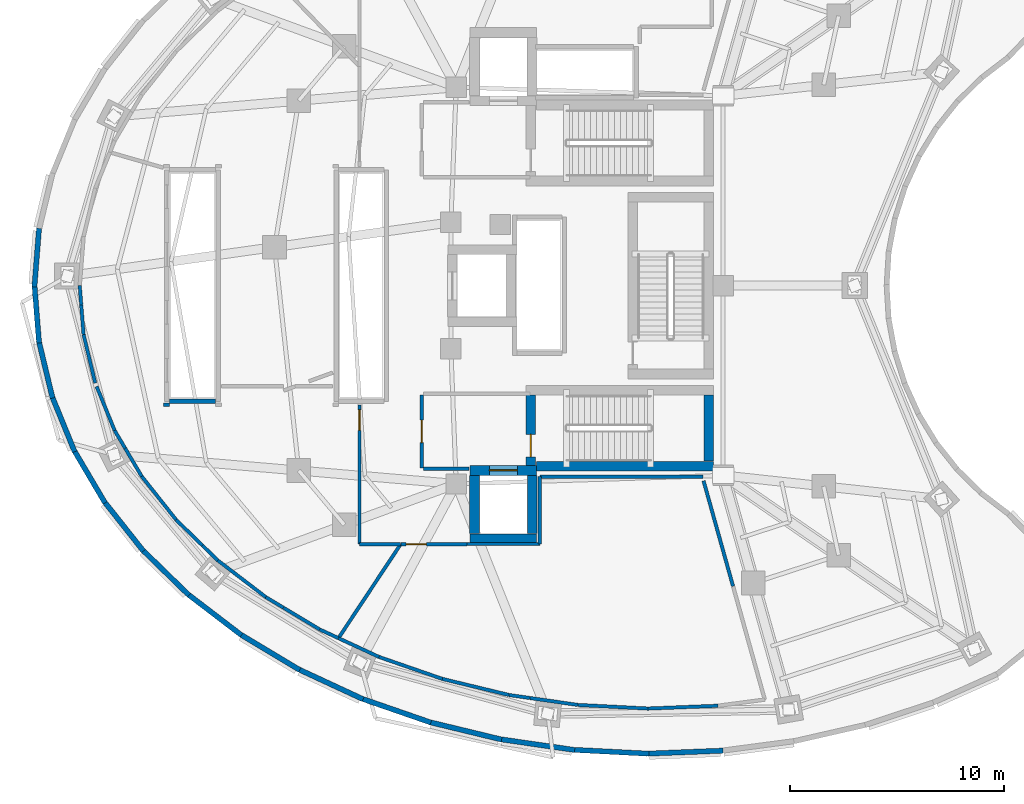
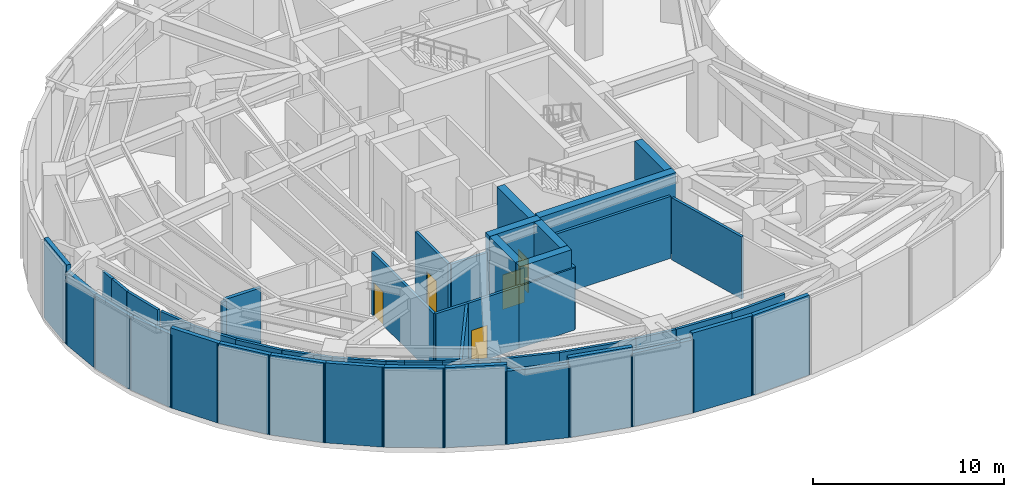
# One storey, part 4 of 10: 54 walls, 5 doors, 5 openings.
"""IFC4 building model written with IfcOpenShell, lengths in metres."""

from ifc_helpers import new_model, si_unit, direction, frame, frame_2d, origin, place, context, subcontext, project, spatial, rectangle, extrude, material, layer, layer_set, type_object, element, fill, save


model = new_model("IFC4")

# Units and contexts
model_context = context("Model", 3, precision=1e-05, world=origin(), true_north=direction((0.0, 1.0)))
body_context = subcontext(model_context, "Body", "Model", "MODEL_VIEW")
ifc_project = project(units=[si_unit("LENGTHUNIT", "METRE"), si_unit("AREAUNIT", "SQUARE_METRE"), si_unit("VOLUMEUNIT", "CUBIC_METRE"), si_unit("PLANEANGLEUNIT", "RADIAN"), si_unit("MASSUNIT", "GRAM", prefix="KILO")], contexts=[model_context])

# Site, building, storey
site_placement = place(None, origin())
site = spatial("IfcSite", under=ifc_project, at=site_placement, CompositionType="ELEMENT")
building_placement = place(site_placement, origin())
building = spatial("IfcBuilding", under=site, at=building_placement, Name="Korentha Bioscience Tower", CompositionType="ELEMENT")
storey_placement = place(building_placement, frame((0.0, 0.0, 84.60009765625)))
storey = spatial("IfcBuildingStorey", under=building, at=storey_placement, Name="L19", CompositionType="ELEMENT", Elevation=84.60009765625)

# Wall, opening, door
ifc_material_1 = material(Name="Gypsum-Clad Steel Stud", Category="steel")
ifc_layer_1 = layer(ifc_material_1, 0.159912109375, Name="Gypsum-Clad Steel Stud")
ifc_layer_set_1 = layer_set([ifc_layer_1], Name="Gypsum-Clad Steel Stud (IW-C160)")
wall_type_1 = type_object("IfcWallType", Name="Fire-Rated Corridor Partition Wall 160", PredefinedType="PARTITIONING", material=ifc_layer_set_1)
wall_1_placement = place(storey_placement, frame((23.5, 18.5, 0.0), z_axis=(0.0, 0.0, 1.0), x_axis=(0.0, 1.0, 0.0)))
wall_1 = element("IfcWall", 1, at=wall_1_placement, inside=storey, type_object=wall_type_1, Name="L19 FFLS-CW Rated Enclosure Wall", PredefinedType="PARTITIONING", context=body_context, shape_type="SweptSolid", body=[
    extrude(rectangle(XDim=3.39990234375, YDim=0.159912109375, at=frame_2d((1.699951171875, 0.0))), origin(), (0.0, 0.0, 1.0), 3.9599609375),
])
opening_1_placement = place(wall_1_placement, frame((1.175048828125, 0.0, 0.0)))
opening_1 = element("IfcOpeningElement", 2, at=opening_1_placement, cuts=wall_1, Name="Opening FD-90R", PredefinedType="OPENING", context=body_context, shape_type="SweptSolid", body=[
    extrude(rectangle(XDim=1.050048828125, YDim=2.14990234375, at=frame_2d((0.52490234375, 1.074951171875))), frame((0.0, 0.0947265625, 0.0), z_axis=(0.0, -1.0, 0.0), x_axis=(1.0, 0.0, 0.0)), (0.0, 0.0, 1.0), 0.189697265625),
])
ifc_material_2 = material(Name="Powder-Coated Fire-Rated Steel", Category="steel")
door_type_1 = type_object("IfcDoorType", Name="Stairwell Fire Exit Door 1050x2150 Right", OperationType="SINGLE_SWING_RIGHT", PredefinedType="DOOR", material=ifc_material_2)
door_1_placement = place(opening_1_placement, origin())
door_1 = element("IfcDoor", 3, at=door_1_placement, inside=storey, type_object=door_type_1, Name="L19 South Firefighting Lobby Door", OperationType="SINGLE_SWING_RIGHT", OverallHeight=2.14990234375, OverallWidth=1.050048828125, PredefinedType="DOOR", context=body_context, shape_type="SweptSolid", body=[
    extrude(rectangle(XDim=1.050048828125, YDim=2.14990234375, at=frame_2d((0.52490234375, 1.074951171875))), frame((0.0, 0.02490234375, 0.0), z_axis=(0.0, -1.0, 0.0), x_axis=(1.0, 0.0, 0.0)), (0.0, 0.0, 1.0), 0.050048828125),
])
fill(opening_1, door_1)

# Wall
wall_2_placement = place(storey_placement, frame((23.580078125, 18.449951171875, 0.0), z_axis=(0.0, 0.0, 1.0), x_axis=(1.0, 0.0, 0.0)))
element("IfcWall", 4, at=wall_2_placement, inside=storey, type_object=wall_type_1, Name="L19 Firefighting Lobby Return Wall FFLS-S", PredefinedType="PARTITIONING", context=body_context, shape_type="SweptSolid", body=[
    extrude(rectangle(XDim=2.119873046875, YDim=0.159912109375, at=frame_2d((1.06005859375, 0.0))), origin(), (0.0, 0.0, 1.0), 3.9599609375),
])

# Wall, opening, door
wall_3_placement = place(storey_placement, frame((20.590087890625, 21.43994140625, 0.0), z_axis=(0.0, 0.0, 1.0), x_axis=(0.0, -1.0, 0.0)))
wall_3 = element("IfcWall", 5, at=wall_3_placement, inside=storey, type_object=wall_type_1, Name="L19 Laboratory Make-Up Air Handling Plant 01 Entrance Wall", PredefinedType="PARTITIONING", context=body_context, shape_type="SweptSolid", body=[
    extrude(rectangle(XDim=6.489990234375, YDim=0.159912109375, at=frame_2d((3.2451171875, 0.0))), origin(), (0.0, 0.0, 1.0), 3.9599609375),
])
opening_2_placement = place(wall_3_placement, frame((0.239990234375, 0.0, 0.0)))
opening_2 = element("IfcOpeningElement", 6, at=opening_2_placement, cuts=wall_3, Name="Opening FD-120D", PredefinedType="OPENING", context=body_context, shape_type="SweptSolid", body=[
    extrude(rectangle(XDim=0.949951171875, YDim=2.14990234375, at=frame_2d((0.47509765625, 1.074951171875))), frame((0.0, 0.0947265625, 0.0), z_axis=(0.0, -1.0, 0.0), x_axis=(1.0, 0.0, 0.0)), (0.0, 0.0, 1.0), 0.189697265625),
])
ifc_material_3 = material(Name="Heavy-Duty Insulated Steel", Category="steel")
door_type_2 = type_object("IfcDoorType", Name="Plant & Riser Fire Door 950x2150 Left", OperationType="SINGLE_SWING_LEFT", PredefinedType="DOOR", material=ifc_material_3)
door_2_placement = place(opening_2_placement, origin())
door_2 = element("IfcDoor", 7, at=door_2_placement, inside=storey, type_object=door_type_2, Name="L19 Laboratory Make-Up Air Handling Plant 01 Door", OperationType="SINGLE_SWING_LEFT", OverallHeight=2.14990234375, OverallWidth=0.949951171875, PredefinedType="DOOR", context=body_context, shape_type="SweptSolid", body=[
    extrude(rectangle(XDim=0.949951171875, YDim=2.14990234375, at=frame_2d((0.47509765625, 1.074951171875))), frame((0.0, 0.02490234375, 0.0), z_axis=(0.0, -1.0, 0.0), x_axis=(1.0, 0.0, 0.0)), (0.0, 0.0, 1.0), 0.050048828125),
])
fill(opening_2, door_2)

wall_4_placement = place(storey_placement, frame((22.5205078125, 14.93994140625, 0.0), z_axis=(0.0, 0.0, 1.0), x_axis=(1.0, 0.0, 0.0)))
wall_4 = element("IfcWall", 8, at=wall_4_placement, inside=storey, type_object=wall_type_1, Name="L19 Chilled-Water Plate Heat-Exchanger Plant 02 Entrance Wall", PredefinedType="PARTITIONING", context=body_context, shape_type="SweptSolid", body=[
    extrude(rectangle(XDim=3.07958984375, YDim=0.159912109375, at=frame_2d((1.539794921875, 0.0))), origin(), (0.0, 0.0, 1.0), 3.9599609375),
])
opening_3_placement = place(wall_4_placement, frame((0.239990234375, 0.0, 0.0)))
opening_3 = element("IfcOpeningElement", 9, at=opening_3_placement, cuts=wall_4, Name="Opening FD-120D", PredefinedType="OPENING", context=body_context, shape_type="SweptSolid", body=[
    extrude(rectangle(XDim=0.949951171875, YDim=2.14990234375, at=frame_2d((0.47509765625, 1.074951171875))), frame((0.0, 0.0947265625, 0.0), z_axis=(0.0, -1.0, 0.0), x_axis=(1.0, 0.0, 0.0)), (0.0, 0.0, 1.0), 0.189697265625),
])
door_3_placement = place(opening_3_placement, origin())
door_3 = element("IfcDoor", 10, at=door_3_placement, inside=storey, type_object=door_type_2, Name="L19 Chilled-Water Plate Heat-Exchanger Plant 02 Door", OperationType="SINGLE_SWING_LEFT", OverallHeight=2.14990234375, OverallWidth=0.949951171875, PredefinedType="DOOR", context=body_context, shape_type="SweptSolid", body=[
    extrude(rectangle(XDim=0.949951171875, YDim=2.14990234375, at=frame_2d((0.47509765625, 1.074951171875))), frame((0.0, 0.02490234375, 0.0), z_axis=(0.0, -1.0, 0.0), x_axis=(1.0, 0.0, 0.0)), (0.0, 0.0, 1.0), 0.050048828125),
])
fill(opening_3, door_3)

# Walls
wall_5_placement = place(storey_placement, frame((11.449951171875, 21.43994140625, 0.0), z_axis=(0.0, 0.0, 1.0), x_axis=(1.0, 0.0, 0.0)))
element("IfcWall", 11, at=wall_5_placement, inside=storey, type_object=wall_type_1, Name="L19 Interior Partition 011", PredefinedType="PARTITIONING", context=body_context, shape_type="SweptSolid", body=[
    extrude(rectangle(XDim=0.27001953125, YDim=0.159912109375, at=frame_2d((0.135009765625, 0.0))), origin(), (0.0, 0.0, 1.0), 3.9599609375),
])
wall_6_placement = place(storey_placement, frame((20.60009765625, 14.93994140625, 0.0), z_axis=(0.0, 0.0, 1.0), x_axis=(1.0, 0.0, 0.0)))
element("IfcWall", 12, at=wall_6_placement, inside=storey, type_object=wall_type_1, Name="L19 Interior Partition 017", PredefinedType="PARTITIONING", context=body_context, shape_type="SweptSolid", body=[
    extrude(rectangle(XDim=1.910400390625, YDim=0.159912109375, at=frame_2d((0.955078125, 0.0))), origin(), (0.0, 0.0, 1.0), 3.9599609375),
])
wall_7_placement = place(storey_placement, frame((22.510498046875, 14.93994140625, 0.0), z_axis=(0.0, 0.0, 1.0), x_axis=(-0.552178086977, -0.833726190222, 0.0)))
element("IfcWall", 13, at=wall_7_placement, inside=storey, type_object=wall_type_1, Name="L19 Interior Partition 018", PredefinedType="PARTITIONING", context=body_context, shape_type="SweptSolid", body=[
    extrude(rectangle(XDim=5.2548828125, YDim=0.159912109375, at=frame_2d((2.62744140625, 0.0))), origin(), (0.0, 0.0, 1.0), 3.9599609375),
])
wall_8_placement = place(storey_placement, frame((19.60888671875, 10.55859375, 0.0), z_axis=(0.0, 0.0, 1.0), x_axis=(-0.907203757034, 0.420691506004, 0.0)))
element("IfcWall", 14, at=wall_8_placement, inside=storey, type_object=wall_type_1, Name="L19 Interior Partition 019", PredefinedType="PARTITIONING", context=body_context, shape_type="SweptSolid", body=[
    extrude(rectangle(XDim=0.95703125, YDim=0.159912109375, at=frame_2d((0.478515625, 0.0))), origin(), (0.0, 0.0, 1.0), 3.9599609375),
])
wall_9_placement = place(storey_placement, frame((18.740478515625, 10.96142578125, 0.0), z_axis=(0.0, 0.0, 1.0), x_axis=(-0.857635136716, 0.514258662805, 0.0)))
element("IfcWall", 15, at=wall_9_placement, inside=storey, type_object=wall_type_1, Name="L19 Interior Partition 020", PredefinedType="PARTITIONING", context=body_context, shape_type="SweptSolid", body=[
    extrude(rectangle(XDim=1.96875, YDim=0.159912109375, at=frame_2d((0.984375, 0.0))), origin(), (0.0, 0.0, 1.0), 3.9599609375),
])
wall_10_placement = place(storey_placement, frame((17.0478515625, 11.9765625, 0.0), z_axis=(0.0, 0.0, 1.0), x_axis=(-0.857671673488, 0.514197725098, 0.0)))
element("IfcWall", 16, at=wall_10_placement, inside=storey, type_object=wall_type_1, Name="L19 Interior Partition 021", PredefinedType="PARTITIONING", context=body_context, shape_type="SweptSolid", body=[
    extrude(rectangle(XDim=0.9638671875, YDim=0.159912109375, at=frame_2d((0.48193359375, 0.0))), origin(), (0.0, 0.0, 1.0), 3.9599609375),
])
wall_11_placement = place(storey_placement, frame((16.22119140625, 12.472412109375, 0.0), z_axis=(0.0, 0.0, 1.0), x_axis=(-0.794500121719, 0.607263992501, 0.0)))
element("IfcWall", 17, at=wall_11_placement, inside=storey, type_object=wall_type_1, Name="L19 Interior Partition 022", PredefinedType="PARTITIONING", context=body_context, shape_type="SweptSolid", body=[
    extrude(rectangle(XDim=2.82421875, YDim=0.159912109375, at=frame_2d((1.412109375, 0.0))), origin(), (0.0, 0.0, 1.0), 3.9599609375),
])
wall_12_placement = place(storey_placement, frame((13.976806640625, 14.1875, 0.0), z_axis=(0.0, 0.0, 1.0), x_axis=(-0.715966561904, 0.698134573156, 0.0)))
element("IfcWall", 18, at=wall_12_placement, inside=storey, type_object=wall_type_1, Name="L19 Interior Partition 023", PredefinedType="PARTITIONING", context=body_context, shape_type="SweptSolid", body=[
    extrude(rectangle(XDim=0.99951171875, YDim=0.159912109375, at=frame_2d((0.499755859375, 0.0))), origin(), (0.0, 0.0, 1.0), 3.9599609375),
])
wall_13_placement = place(storey_placement, frame((13.258056640625, 14.88818359375, 0.0), z_axis=(0.0, 0.0, 1.0), x_axis=(-0.716086174655, 0.698011884189, 0.0)))
element("IfcWall", 19, at=wall_13_placement, inside=storey, type_object=wall_type_1, Name="L19 Interior Partition 024", PredefinedType="PARTITIONING", context=body_context, shape_type="SweptSolid", body=[
    extrude(rectangle(XDim=1.701904296875, YDim=0.159912109375, at=frame_2d((0.85107421875, 0.0))), origin(), (0.0, 0.0, 1.0), 3.9599609375),
])
wall_14_placement = place(storey_placement, frame((12.0390625, 16.07666015625, 0.0), z_axis=(0.0, 0.0, 1.0), x_axis=(-0.621019334477, 0.783795245078, 0.0)))
element("IfcWall", 20, at=wall_14_placement, inside=storey, type_object=wall_type_1, Name="L19 Interior Partition 025", PredefinedType="PARTITIONING", context=body_context, shape_type="SweptSolid", body=[
    extrude(rectangle(XDim=2.5888671875, YDim=0.159912109375, at=frame_2d((1.29443359375, 0.0))), origin(), (0.0, 0.0, 1.0), 3.9599609375),
])
wall_15_placement = place(storey_placement, frame((10.43115234375, 18.106201171875, 0.0), z_axis=(0.0, 0.0, 1.0), x_axis=(-0.508257498235, 0.861205152962, 0.0)))
element("IfcWall", 21, at=wall_15_placement, inside=storey, type_object=wall_type_1, Name="L19 Interior Partition 026", PredefinedType="PARTITIONING", context=body_context, shape_type="SweptSolid", body=[
    extrude(rectangle(XDim=1.516845703125, YDim=0.159912109375, at=frame_2d((0.75830078125, 0.0))), origin(), (0.0, 0.0, 1.0), 3.9599609375),
])
wall_16_placement = place(storey_placement, frame((9.657958984375, 19.41650390625, 0.0), z_axis=(0.0, 0.0, 1.0), x_axis=(-0.508120550532, 0.861285960716, 0.0)))
element("IfcWall", 22, at=wall_16_placement, inside=storey, type_object=wall_type_1, Name="L19 Interior Partition 027", PredefinedType="PARTITIONING", context=body_context, shape_type="SweptSolid", body=[
    extrude(rectangle(XDim=0.95947265625, YDim=0.159912109375, at=frame_2d((0.479736328125, 0.0))), origin(), (0.0, 0.0, 1.0), 3.9599609375),
])
wall_17_placement = place(storey_placement, frame((9.169921875, 20.243408203125, 0.0), z_axis=(0.0, 0.0, 1.0), x_axis=(-0.378303005032, 0.925681822433, 0.0)))
element("IfcWall", 23, at=wall_17_placement, inside=storey, type_object=wall_type_1, Name="L19 Interior Partition 028", PredefinedType="PARTITIONING", context=body_context, shape_type="SweptSolid", body=[
    extrude(rectangle(XDim=2.219482421875, YDim=0.159912109375, at=frame_2d((1.10986328125, 0.0))), origin(), (0.0, 0.0, 1.0), 3.9599609375),
])
wall_18_placement = place(storey_placement, frame((8.265380859375, 22.456298828125, 0.0), z_axis=(0.0, 0.0, 1.0), x_axis=(-0.233654937946, 0.972319582222, 0.0)))
element("IfcWall", 24, at=wall_18_placement, inside=storey, type_object=wall_type_1, Name="L19 Interior Partition 029", PredefinedType="PARTITIONING", context=body_context, shape_type="SweptSolid", body=[
    extrude(rectangle(XDim=2.324951171875, YDim=0.159912109375, at=frame_2d((1.16259765625, 0.0))), origin(), (0.0, 0.0, 1.0), 3.9599609375),
])
wall_19_placement = place(storey_placement, frame((7.72216796875, 24.717041015625, 0.0), z_axis=(0.0, 0.0, 1.0), x_axis=(-0.079135761617, 0.996863847892, 0.0)))
element("IfcWall", 25, at=wall_19_placement, inside=storey, type_object=wall_type_1, Name="L19 Interior Partition 030", PredefinedType="PARTITIONING", context=body_context, shape_type="SweptSolid", body=[
    extrude(rectangle(XDim=1.38525390625, YDim=0.159912109375, at=frame_2d((0.692626953125, 0.0))), origin(), (0.0, 0.0, 1.0), 3.9599609375),
])
wall_20_placement = place(storey_placement, frame((7.6123046875, 26.102294921875, 0.0), z_axis=(0.0, 0.0, 1.0), x_axis=(-0.079163340815, 0.996861658141, 0.0)))
element("IfcWall", 26, at=wall_20_placement, inside=storey, type_object=wall_type_1, Name="L19 Interior Partition 031", PredefinedType="PARTITIONING", context=body_context, shape_type="SweptSolid", body=[
    extrude(rectangle(XDim=0.900634765625, YDim=0.159912109375, at=frame_2d((0.4501953125, 0.0))), origin(), (0.0, 0.0, 1.0), 3.9599609375),
])
wall_21_placement = place(storey_placement, frame((29.0, 14.9541015625, 0.0), z_axis=(0.0, 0.0, 1.0), x_axis=(0.0, 1.0, 0.0)))
element("IfcWall", 27, at=wall_21_placement, inside=storey, type_object=wall_type_1, Name="L19 Interior Partition 032", PredefinedType="PARTITIONING", context=body_context, shape_type="SweptSolid", body=[
    extrude(rectangle(XDim=3.135986328125, YDim=0.159912109375, at=frame_2d((1.56787109375, 0.0))), origin(), (0.0, 0.0, 1.0), 3.9599609375),
])
wall_22_placement = place(storey_placement, frame((29.0, 18.090087890625, 0.0), z_axis=(0.0, 0.0, 1.0), x_axis=(1.0, 0.0, 0.0)))
element("IfcWall", 28, at=wall_22_placement, inside=storey, type_object=wall_type_1, Name="L19 Interior Partition 033", PredefinedType="PARTITIONING", context=body_context, shape_type="SweptSolid", body=[
    extrude(rectangle(XDim=7.602294921875, YDim=0.159912109375, at=frame_2d((3.80126953125, 0.0))), origin(), (0.0, 0.0, 1.0), 3.9599609375),
])
wall_23_placement = place(storey_placement, frame((36.63525390625, 17.893798828125, 0.0), z_axis=(0.0, 0.0, 1.0), x_axis=(0.269447140832, -0.96301518072, 0.0)))
element("IfcWall", 29, at=wall_23_placement, inside=storey, type_object=wall_type_1, Name="L19 Interior Partition 034", PredefinedType="PARTITIONING", context=body_context, shape_type="SweptSolid", body=[
    extrude(rectangle(XDim=5.10302734375, YDim=0.159912109375, at=frame_2d((2.551513671875, 0.0))), origin(), (0.0, 0.0, 1.0), 3.9599609375),
])
wall_24_placement = place(storey_placement, frame((37.309814453125, 7.40478515625, 0.0), z_axis=(0.0, 0.0, 1.0), x_axis=(-0.999211651373, -0.039699820652, 0.0)))
element("IfcWall", 30, at=wall_24_placement, inside=storey, type_object=wall_type_1, Name="L19 Interior Partition 037", PredefinedType="PARTITIONING", context=body_context, shape_type="SweptSolid", body=[
    extrude(rectangle(XDim=3.271728515625, YDim=0.159912109375, at=frame_2d((1.6357421875, 0.0))), origin(), (0.0, 0.0, 1.0), 3.9599609375),
])
wall_25_placement = place(storey_placement, frame((34.040283203125, 7.27490234375, 0.0), z_axis=(0.0, 0.0, 1.0), x_axis=(-0.99867214707, 0.051516431032, 0.0)))
element("IfcWall", 31, at=wall_25_placement, inside=storey, type_object=wall_type_1, Name="L19 Interior Partition 038", PredefinedType="PARTITIONING", context=body_context, shape_type="SweptSolid", body=[
    extrude(rectangle(XDim=3.27001953125, YDim=0.159912109375, at=frame_2d((1.635009765625, 0.0))), origin(), (0.0, 0.0, 1.0), 3.9599609375),
])
wall_26_placement = place(storey_placement, frame((30.7744140625, 7.443359375, 0.0), z_axis=(0.0, 0.0, 1.0), x_axis=(-0.989738557631, 0.142890124003, 0.0)))
element("IfcWall", 32, at=wall_26_placement, inside=storey, type_object=wall_type_1, Name="L19 Interior Partition 039", PredefinedType="PARTITIONING", context=body_context, shape_type="SweptSolid", body=[
    extrude(rectangle(XDim=2.257080078125, YDim=0.159912109375, at=frame_2d((1.12841796875, 0.0))), origin(), (0.0, 0.0, 1.0), 3.9599609375),
])
wall_27_placement = place(storey_placement, frame((28.536376953125, 7.7666015625, 0.0), z_axis=(0.0, 0.0, 1.0), x_axis=(-0.989765001386, 0.142706839468, 0.0)))
element("IfcWall", 33, at=wall_27_placement, inside=storey, type_object=wall_type_1, Name="L19 Interior Partition 040", PredefinedType="PARTITIONING", context=body_context, shape_type="SweptSolid", body=[
    extrude(rectangle(XDim=0.983642578125, YDim=0.159912109375, at=frame_2d((0.49169921875, 0.0))), origin(), (0.0, 0.0, 1.0), 3.9599609375),
])
wall_28_placement = place(storey_placement, frame((27.5625, 7.906982421875, 0.0), z_axis=(0.0, 0.0, 1.0), x_axis=(-0.972038947661, 0.234819684504, 0.0)))
element("IfcWall", 34, at=wall_28_placement, inside=storey, type_object=wall_type_1, Name="L19 Interior Partition 041", PredefinedType="PARTITIONING", context=body_context, shape_type="SweptSolid", body=[
    extrude(rectangle(XDim=3.197021484375, YDim=0.159912109375, at=frame_2d((1.5986328125, 0.0))), origin(), (0.0, 0.0, 1.0), 3.9599609375),
])
wall_29_placement = place(storey_placement, frame((24.45458984375, 8.657958984375, 0.0), z_axis=(0.0, 0.0, 1.0), x_axis=(-0.944878380746, 0.327421510592, 0.0)))
element("IfcWall", 35, at=wall_29_placement, inside=storey, type_object=wall_type_1, Name="L19 Interior Partition 042", PredefinedType="PARTITIONING", context=body_context, shape_type="SweptSolid", body=[
    extrude(rectangle(XDim=3.1279296875, YDim=0.159912109375, at=frame_2d((1.56396484375, 0.0))), origin(), (0.0, 0.0, 1.0), 3.9599609375),
])
wall_30_placement = place(storey_placement, frame((21.498779296875, 9.68212890625, 0.0), z_axis=(0.0, 0.0, 1.0), x_axis=(-0.907161523732, 0.420782568388, 0.0)))
element("IfcWall", 36, at=wall_30_placement, inside=storey, type_object=wall_type_1, Name="L19 Interior Partition 043", PredefinedType="PARTITIONING", context=body_context, shape_type="SweptSolid", body=[
    extrude(rectangle(XDim=2.072998046875, YDim=0.159912109375, at=frame_2d((1.03662109375, 0.0))), origin(), (0.0, 0.0, 1.0), 3.9599609375),
])
wall_31_placement = place(storey_placement, frame((25.610107421875, 14.949951171875, 0.0), z_axis=(0.0, 0.0, 1.0), x_axis=(1.0, 0.0, 0.0)))
element("IfcWall", 37, at=wall_31_placement, inside=storey, type_object=wall_type_1, Name="L19 Interior Partition 044", PredefinedType="PARTITIONING", context=body_context, shape_type="SweptSolid", body=[
    extrude(rectangle(XDim=3.385986328125, YDim=0.159912109375, at=frame_2d((1.69287109375, 0.0))), origin(), (0.0, 0.0, 1.0), 3.9599609375),
])
ifc_material_4 = material(Name="Autoclaved Aerated Concrete Block C25", Category="concrete")
ifc_layer_2 = layer(ifc_material_4, 0.199951171875, Name="Autoclaved Aerated Concrete Block C25")
ifc_layer_set_2 = layer_set([ifc_layer_2], Name="Autoclaved Aerated Concrete Block C25 (IW-S200)")
wall_type_2 = type_object("IfcWallType", Name="Lift and Riser Shaft Enclosure Wall 200", PredefinedType="PARTITIONING", material=ifc_layer_set_2)
wall_32_placement = place(storey_placement, frame((11.719970703125, 21.60009765625, 0.0), z_axis=(0.0, 0.0, 1.0), x_axis=(1.0, 0.0, 0.0)))
element("IfcWall", 38, at=wall_32_placement, inside=storey, type_object=wall_type_2, Name="L19 Lift Bank LOW Shaft Wall -Y", PredefinedType="PARTITIONING", context=body_context, shape_type="SweptSolid", body=[
    extrude(rectangle(XDim=2.159912109375, YDim=0.199951171875, at=frame_2d((1.080078125, 0.0))), origin(), (0.0, 0.0, 1.0), 3.9599609375),
])
ifc_material_5 = material(Name="Concrete C80", Category="concrete")
ifc_layer_3 = layer(ifc_material_5, 0.449951171875, Name="Concrete C80")
ifc_layer_set_3 = layer_set([ifc_layer_3], Name="Concrete C80 (CW-C80)")
wall_type_3 = type_object("IfcWallType", Name="Lower Core Shear Wall 450", PredefinedType="SHEAR", material=ifc_layer_set_3)
wall_33_placement = place(storey_placement, frame((28.85205078125, 18.574951171875, 0.0), z_axis=(0.0, 0.0, 1.0), x_axis=(1.0, 0.0, 0.0)))
element("IfcWall", 39, at=wall_33_placement, inside=storey, type_object=wall_type_3, Name="L19 Core Shear Wall ST2-S", PredefinedType="SHEAR", context=body_context, shape_type="SweptSolid", body=[
    extrude(rectangle(XDim=8.248046875, YDim=0.449951171875, at=frame_2d((4.1240234375, 0.0))), origin(), (0.0, 0.0, 1.0), 5.099853515625),
])
wall_34_placement = place(storey_placement, frame((36.875, 18.81005859375, 0.0), z_axis=(0.0, 0.0, 1.0), x_axis=(0.0, 1.0, 0.0)))
element("IfcWall", 40, at=wall_34_placement, inside=storey, type_object=wall_type_3, Name="L19 Core Shear Wall ST2-E", PredefinedType="SHEAR", context=body_context, shape_type="SweptSolid", body=[
    extrude(rectangle(XDim=3.079833984375, YDim=0.449951171875, at=frame_2d((1.5400390625, 0.0))), origin(), (0.0, 0.0, 1.0), 5.099853515625),
])

# Wall, opening, door
wall_35_placement = place(storey_placement, frame((28.574951171875, 18.60693359375, 0.0), z_axis=(0.0, 0.0, 1.0), x_axis=(0.0, 1.0, 0.0)))
wall_35 = element("IfcWall", 41, at=wall_35_placement, inside=storey, type_object=wall_type_3, Name="L19 Core Shear Wall ST2-W", PredefinedType="SHEAR", context=body_context, shape_type="SweptSolid", body=[
    extrude(rectangle(XDim=3.282958984375, YDim=0.449951171875, at=frame_2d((1.6416015625, 0.0))), origin(), (0.0, 0.0, 1.0), 5.099853515625),
])
opening_4_placement = place(wall_35_placement, frame((0.403076171875, 0.0, 0.0)))
opening_4 = element("IfcOpeningElement", 42, at=opening_4_placement, cuts=wall_35, Name="Opening FD-90R", PredefinedType="OPENING", context=body_context, shape_type="SweptSolid", body=[
    extrude(rectangle(XDim=1.050048828125, YDim=2.14990234375, at=frame_2d((0.52490234375, 1.074951171875))), frame((0.0, 0.23974609375, 0.0), z_axis=(0.0, -1.0, 0.0), x_axis=(1.0, 0.0, 0.0)), (0.0, 0.0, 1.0), 0.479736328125),
])
door_4_placement = place(opening_4_placement, origin())
door_4 = element("IfcDoor", 43, at=door_4_placement, inside=storey, type_object=door_type_1, Name="L19 ST-2 Fire Exit Stair Door", OperationType="SINGLE_SWING_RIGHT", OverallHeight=2.14990234375, OverallWidth=1.050048828125, PredefinedType="DOOR", context=body_context, shape_type="SweptSolid", body=[
    extrude(rectangle(XDim=1.050048828125, YDim=2.14990234375, at=frame_2d((0.52490234375, 1.074951171875))), frame((0.0, 0.02490234375, 0.0), z_axis=(0.0, -1.0, 0.0), x_axis=(1.0, 0.0, 0.0)), (0.0, 0.0, 1.0), 0.050048828125),
])
fill(opening_4, door_4)

# Wall
wall_36_placement = place(storey_placement, frame((25.75, 15.199951171875, 0.0), z_axis=(0.0, 0.0, 1.0), x_axis=(1.0, 0.0, 0.0)))
element("IfcWall", 44, at=wall_36_placement, inside=storey, type_object=wall_type_3, Name="L19 Core Shear Wall FFL1-S", PredefinedType="SHEAR", context=body_context, shape_type="SweptSolid", body=[
    extrude(rectangle(XDim=3.10009765625, YDim=0.449951171875, at=frame_2d((1.550048828125, 0.0))), origin(), (0.0, 0.0, 1.0), 5.099853515625),
])

# Wall, opening, door
wall_37_placement = place(storey_placement, frame((25.75, 18.3798828125, 0.0), z_axis=(0.0, 0.0, 1.0), x_axis=(1.0, 0.0, 0.0)))
wall_37 = element("IfcWall", 45, at=wall_37_placement, inside=storey, type_object=wall_type_3, Name="L19 Core Shear Wall FFL1-N", PredefinedType="SHEAR", context=body_context, shape_type="SweptSolid", body=[
    extrude(rectangle(XDim=3.10009765625, YDim=0.449951171875, at=frame_2d((1.550048828125, 0.0))), origin(), (0.0, 0.0, 1.0), 5.099853515625),
])
opening_5_placement = place(wall_37_placement, frame((0.89990234375, 0.0, 0.0)))
opening_5 = element("IfcOpeningElement", 46, at=opening_5_placement, cuts=wall_37, Name="Opening LD-13", PredefinedType="OPENING", context=body_context, shape_type="SweptSolid", body=[
    extrude(rectangle(XDim=1.300048828125, YDim=2.199951171875, at=frame_2d((0.64990234375, 1.10009765625))), frame((0.0, 0.23974609375, 0.0), z_axis=(0.0, -1.0, 0.0), x_axis=(1.0, 0.0, 0.0)), (0.0, 0.0, 1.0), 0.479736328125),
])
ifc_material_6 = material(Name="Brushed Stainless Steel 316", Category="steel")
door_type_3 = type_object("IfcDoorType", Name="Service & Firefighting Lift Landing Door 1300x2300", OperationType="DOUBLE_DOOR_SLIDING", PredefinedType="DOOR", material=ifc_material_6)
door_5_placement = place(opening_5_placement, origin())
door_5 = element("IfcDoor", 47, at=door_5_placement, inside=storey, type_object=door_type_3, Name="L19 FFL-1 Sliding Lift Landing Door", OperationType="DOUBLE_DOOR_SLIDING", OverallHeight=2.199951171875, OverallWidth=1.300048828125, PredefinedType="DOOR", context=body_context, shape_type="SweptSolid", body=[
    extrude(rectangle(XDim=1.300048828125, YDim=2.199951171875, at=frame_2d((0.64990234375, 1.10009765625))), frame((0.0, 0.02490234375, 0.0), z_axis=(0.0, -1.0, 0.0), x_axis=(1.0, 0.0, 0.0)), (0.0, 0.0, 1.0), 0.050048828125),
])
fill(opening_5, door_5)

# Walls
for number, where, z_axis, x_axis, name in (
    (48, (25.949951171875, 15.43994140625, 0.0), (0.0, 0.0, 1.0), (0.0, 1.0, 0.0), "L19 Core Shear Wall FFL1-W"),
    (49, (28.64990234375, 15.43994140625, 0.0), (0.0, 0.0, 1.0), (0.0, 1.0, 0.0), "L19 Core Shear Wall FFL1-E"),
):
    element("IfcWall", number, at=place(storey_placement, frame(where, z_axis=z_axis, x_axis=x_axis)), inside=storey, type_object=wall_type_3, Name=name, PredefinedType="SHEAR", context=body_context, shape_type="SweptSolid", body=[
        extrude(rectangle(XDim=2.699951171875, YDim=0.449951171875, at=frame_2d((1.35009765625, 0.0))), origin(), (0.0, 0.0, 1.0), 5.099853515625),
    ])
ifc_material_7 = material(Name="Insulated Precast Concrete C40", Category="concrete")
ifc_layer_4 = layer(ifc_material_7, 0.239990234375, Name="Insulated Precast Concrete C40")
ifc_layer_set_4 = layer_set([ifc_layer_4], Name="Insulated Precast Concrete C40 (EW-PL240)")
wall_type_4 = type_object("IfcWallType", Name="Plant Acoustic Louvre Backup Wall 240", PredefinedType="STANDARD", material=ifc_layer_set_4)
wall_38_placement = place(storey_placement, frame((5.646484375, 29.6728515625, 0.0), z_axis=(0.0, 0.0, 1.0), x_axis=(-0.079100845123, -0.996866619113, 0.0)))
element("IfcWall", 50, at=wall_38_placement, inside=storey, type_object=wall_type_4, Name="L19 Plant Louvre Backup Wall 18", PredefinedType="STANDARD", context=body_context, shape_type="SweptSolid", body=[
    extrude(rectangle(XDim=2.74072265625, YDim=0.239990234375, at=frame_2d((1.370361328125, 0.0))), origin(), (0.0, 0.0, 1.0), 5.099853515625),
])
wall_39_placement = place(storey_placement, frame((5.4296875, 27.059326171875, 0.0), z_axis=(0.0, 0.0, 1.0), x_axis=(0.079100845123, -0.996866619113, 0.0)))
element("IfcWall", 51, at=wall_39_placement, inside=storey, type_object=wall_type_4, Name="L19 Plant Louvre Backup Wall 19", PredefinedType="STANDARD", context=body_context, shape_type="SweptSolid", body=[
    extrude(rectangle(XDim=2.74072265625, YDim=0.239990234375, at=frame_2d((1.370361328125, 0.0))), origin(), (0.0, 0.0, 1.0), 4.669921875),
])
wall_40_placement = place(storey_placement, frame((5.6279296875, 24.444091796875, 0.0), z_axis=(0.0, 0.0, 1.0), x_axis=(0.23368645227, -0.972312008578, 0.0)))
element("IfcWall", 52, at=wall_40_placement, inside=storey, type_object=wall_type_4, Name="L19 Plant Louvre Backup Wall 20", PredefinedType="STANDARD", context=body_context, shape_type="SweptSolid", body=[
    extrude(rectangle(XDim=2.7685546875, YDim=0.239990234375, at=frame_2d((1.38427734375, 0.0))), origin(), (0.0, 0.0, 1.0), 4.669921875),
])
wall_41_placement = place(storey_placement, frame((6.23876953125, 21.864501953125, 0.0), z_axis=(0.0, 0.0, 1.0), x_axis=(0.378332938431, -0.925669588837, 0.0)))
element("IfcWall", 53, at=wall_41_placement, inside=storey, type_object=wall_type_4, Name="L19 Plant Louvre Backup Wall 21", PredefinedType="STANDARD", context=body_context, shape_type="SweptSolid", body=[
    extrude(rectangle(XDim=2.8212890625, YDim=0.239990234375, at=frame_2d((1.41064453125, 0.0))), origin(), (0.0, 0.0, 1.0), 4.669921875),
])
wall_42_placement = place(storey_placement, frame((7.254150390625, 19.35791015625, 0.0), z_axis=(0.0, 0.0, 1.0), x_axis=(0.508169504761, -0.861257078015, 0.0)))
element("IfcWall", 54, at=wall_42_placement, inside=storey, type_object=wall_type_4, Name="L19 Plant Louvre Backup Wall 22", PredefinedType="STANDARD", context=body_context, shape_type="SweptSolid", body=[
    extrude(rectangle(XDim=2.89501953125, YDim=0.239990234375, at=frame_2d((1.447509765625, 0.0))), origin(), (0.0, 0.0, 1.0), 5.099853515625),
])
wall_43_placement = place(storey_placement, frame((8.65966796875, 16.96044921875, 0.0), z_axis=(0.0, 0.0, 1.0), x_axis=(0.620956469373, -0.783845050469, 0.0)))
element("IfcWall", 55, at=wall_43_placement, inside=storey, type_object=wall_type_4, Name="L19 Plant Louvre Backup Wall 23", PredefinedType="STANDARD", context=body_context, shape_type="SweptSolid", body=[
    extrude(rectangle(XDim=2.984130859375, YDim=0.239990234375, at=frame_2d((1.4921875, 0.0))), origin(), (0.0, 0.0, 1.0), 5.099853515625),
])
wall_44_placement = place(storey_placement, frame((10.435546875, 14.706787109375, 0.0), z_axis=(0.0, 0.0, 1.0), x_axis=(0.716118916223, -0.697978293235, 0.0)))
element("IfcWall", 56, at=wall_44_placement, inside=storey, type_object=wall_type_4, Name="L19 Plant Louvre Backup Wall 24", PredefinedType="STANDARD", context=body_context, shape_type="SweptSolid", body=[
    extrude(rectangle(XDim=3.08203125, YDim=0.239990234375, at=frame_2d((1.541015625, 0.0))), origin(), (0.0, 0.0, 1.0), 5.099853515625),
])
wall_45_placement = place(storey_placement, frame((12.55615234375, 12.63037109375, 0.0), z_axis=(0.0, 0.0, 1.0), x_axis=(0.7944993285, -0.607265030289, 0.0)))
element("IfcWall", 57, at=wall_45_placement, inside=storey, type_object=wall_type_4, Name="L19 Plant Louvre Backup Wall 25", PredefinedType="STANDARD", context=body_context, shape_type="SweptSolid", body=[
    extrude(rectangle(XDim=3.182861328125, YDim=0.239990234375, at=frame_2d((1.59130859375, 0.0))), origin(), (0.0, 0.0, 1.0), 5.099853515625),
])
wall_46_placement = place(storey_placement, frame((14.9912109375, 10.76123046875, 0.0), z_axis=(0.0, 0.0, 1.0), x_axis=(0.857617674496, -0.51428778363, 0.0)))
element("IfcWall", 58, at=wall_46_placement, inside=storey, type_object=wall_type_4, Name="L19 Plant Louvre Backup Wall 26", PredefinedType="STANDARD", context=body_context, shape_type="SweptSolid", body=[
    extrude(rectangle(XDim=3.2802734375, YDim=0.239990234375, at=frame_2d((1.64013671875, 0.0))), origin(), (0.0, 0.0, 1.0), 5.099853515625),
])
wall_47_placement = place(storey_placement, frame((17.704833984375, 9.126708984375, 0.0), z_axis=(0.0, 0.0, 1.0), x_axis=(0.907209471649, -0.420679182454, 0.0)))
element("IfcWall", 59, at=wall_47_placement, inside=storey, type_object=wall_type_4, Name="L19 Plant Louvre Backup Wall 27", PredefinedType="STANDARD", context=body_context, shape_type="SweptSolid", body=[
    extrude(rectangle(XDim=3.3701171875, YDim=0.239990234375, at=frame_2d((1.68505859375, 0.0))), origin(), (0.0, 0.0, 1.0), 5.099853515625),
])
wall_48_placement = place(storey_placement, frame((20.658447265625, 7.7509765625, 0.0), z_axis=(0.0, 0.0, 1.0), x_axis=(0.944863079672, -0.327465663349, 0.0)))
element("IfcWall", 60, at=wall_48_placement, inside=storey, type_object=wall_type_4, Name="L19 Plant Louvre Backup Wall 28", PredefinedType="STANDARD", context=body_context, shape_type="SweptSolid", body=[
    extrude(rectangle(XDim=3.447509765625, YDim=0.239990234375, at=frame_2d((1.7236328125, 0.0))), origin(), (0.0, 0.0, 1.0), 4.669921875),
])
wall_49_placement = place(storey_placement, frame((23.808837890625, 6.653564453125, 0.0), z_axis=(0.0, 0.0, 1.0), x_axis=(0.972031834852, -0.23484912611, 0.0)))
element("IfcWall", 61, at=wall_49_placement, inside=storey, type_object=wall_type_4, Name="L19 Plant Louvre Backup Wall 29", PredefinedType="STANDARD", context=body_context, shape_type="SweptSolid", body=[
    extrude(rectangle(XDim=3.508544921875, YDim=0.239990234375, at=frame_2d((1.75439453125, 0.0))), origin(), (0.0, 0.0, 1.0), 5.099853515625),
])
wall_50_placement = place(storey_placement, frame((27.110107421875, 5.8505859375, 0.0), z_axis=(0.0, 0.0, 1.0), x_axis=(0.98973386808, -0.142922602746, 0.0)))
element("IfcWall", 62, at=wall_50_placement, inside=storey, type_object=wall_type_4, Name="L19 Plant Louvre Backup Wall 30", PredefinedType="STANDARD", context=body_context, shape_type="SweptSolid", body=[
    extrude(rectangle(XDim=3.55126953125, YDim=0.239990234375, at=frame_2d((1.775634765625, 0.0))), origin(), (0.0, 0.0, 1.0), 4.669921875),
])
wall_51_placement = place(storey_placement, frame((30.514404296875, 5.35400390625, 0.0), z_axis=(0.0, 0.0, 1.0), x_axis=(0.998672569018, -0.051508250704, 0.0)))
element("IfcWall", 63, at=wall_51_placement, inside=storey, type_object=wall_type_4, Name="L19 Plant Louvre Backup Wall 31", PredefinedType="STANDARD", context=body_context, shape_type="SweptSolid", body=[
    extrude(rectangle(XDim=3.57373046875, YDim=0.239990234375, at=frame_2d((1.786865234375, 0.0))), origin(), (0.0, 0.0, 1.0), 5.099853515625),
])
wall_52_placement = place(storey_placement, frame((33.972900390625, 5.170654296875, 0.0), z_axis=(0.0, 0.0, 1.0), x_axis=(0.999212588604, 0.039676224301, 0.0)))
element("IfcWall", 64, at=wall_52_placement, inside=storey, type_object=wall_type_4, Name="L19 Plant Louvre Backup Wall 32", PredefinedType="STANDARD", context=body_context, shape_type="SweptSolid", body=[
    extrude(rectangle(XDim=3.5751953125, YDim=0.239990234375, at=frame_2d((1.78759765625, 0.0))), origin(), (0.0, 0.0, 1.0), 5.099853515625),
])

save(model, "model.ifc")
